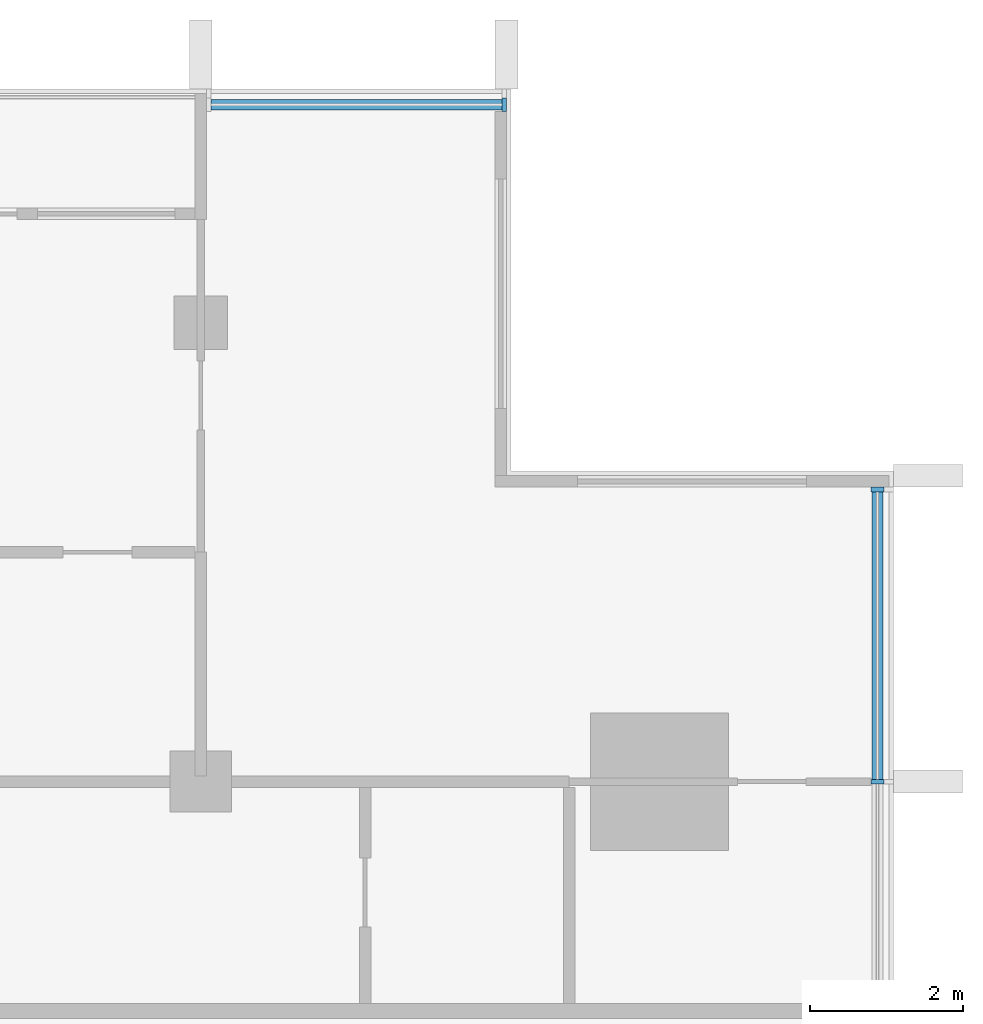
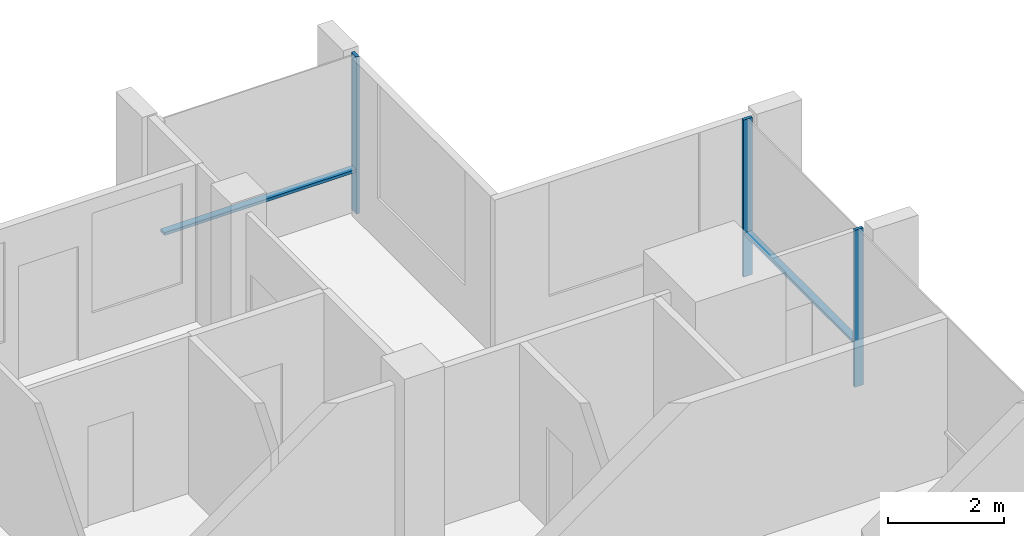
# One storey, part 5 of 16: 5 members, 2 elements without a shape of their own.
"""IFC4 building model written with IfcOpenShell, lengths in metres."""

from ifc_helpers import new_model, si_unit, direction, frame, origin, origin_2d, place, context, subcontext, project, spatial, rectangle, extrude, material, material_profile, profile_set, type_object, element, aggregate, save


model = new_model("IFC4")

# Units and contexts
model_context = context("Model", 3, precision=1e-05, world=origin(), true_north=direction((0.0, 1.0)))
body_context = subcontext(model_context, "Body", "Model", "MODEL_VIEW")
ifc_project = project(units=[si_unit("LENGTHUNIT", "METRE"), si_unit("AREAUNIT", "SQUARE_METRE"), si_unit("VOLUMEUNIT", "CUBIC_METRE"), si_unit("PLANEANGLEUNIT", "RADIAN"), si_unit("MASSUNIT", "GRAM", prefix="KILO")], contexts=[model_context])

# Site, building, storey
site_placement = place(None, origin())
site = spatial("IfcSite", under=ifc_project, at=site_placement, CompositionType="ELEMENT")
building_placement = place(site_placement, origin())
building = spatial("IfcBuilding", under=site, at=building_placement, Name="Finial Court Residences", CompositionType="ELEMENT")
storey_placement = place(building_placement, frame((0.0, 0.0, 262.699951171875)))
storey = spatial("IfcBuildingStorey", under=building, at=storey_placement, Name="L66", CompositionType="ELEMENT", Elevation=262.699951171875)

# Curtain wall, member
ifc_material = material(Name="Bronze anodised aluminium", Category="aluminium")
curtain_wall_type = type_object("IfcCurtainWallType", Name="Unitised curtain wall, upper zones", PredefinedType="NOTDEFINED", material=ifc_material)
curtain_wall_1_placement = place(storey_placement, origin())
curtain_wall_1 = element("IfcCurtainWall", 1, at=curtain_wall_1_placement, inside=storey, type_object=curtain_wall_type, Name="E-L66-CW-N3", PredefinedType="NOTDEFINED")
ifc_material_profile_1 = material_profile(ifc_material, rectangle(XDim=0.175048828125, YDim=0.06005859375, at=origin_2d()), Name="CW2 mullion 60 x 175")
ifc_profile_set_1 = profile_set([ifc_material_profile_1], Name="Bronze anodised aluminium")
member_type_1 = type_object("IfcMemberType", Name="CW2 mullion 60 x 175", PredefinedType="MULLION", material=ifc_profile_set_1)
member_1_placement = place(storey_placement, frame((14.469970703125, 16.35009765625, 0.0), z_axis=(0.0, 0.0, 1.0), x_axis=(0.0, 1.0, 0.0)))
member_1 = element("IfcMember", 2, at=member_1_placement, type_object=member_type_1, Name="CW2 mullion 2", PredefinedType="MULLION", context=body_context, shape_type="SweptSolid", body=[
    extrude(rectangle(XDim=0.175048828125, YDim=0.06005859375, at=origin_2d()), origin(), (0.0, 0.0, 1.0), 3.300048828125),
])

# Curtain wall, members
curtain_wall_2_placement = place(storey_placement, origin())
curtain_wall_2 = element("IfcCurtainWall", 3, at=curtain_wall_2_placement, inside=storey, type_object=curtain_wall_type, Name="E-L66-CW-E6", PredefinedType="NOTDEFINED")
member_2_placement = place(storey_placement, frame((19.35009765625, 7.5, 0.0), z_axis=(0.0, 0.0, 1.0), x_axis=(-1.0, 0.0, 0.0)))
member_2 = element("IfcMember", 4, at=member_2_placement, type_object=member_type_1, Name="CW2 mullion 2", PredefinedType="MULLION", context=body_context, shape_type="SweptSolid", body=[
    extrude(rectangle(XDim=0.175048828125, YDim=0.06005859375, at=origin_2d()), origin(), (0.0, 0.0, 1.0), 3.300048828125),
])
member_3_placement = place(storey_placement, frame((19.35009765625, 11.320068359375, 0.0), z_axis=(0.0, 0.0, 1.0), x_axis=(-1.0, 0.0, 0.0)))
member_3 = element("IfcMember", 5, at=member_3_placement, type_object=member_type_1, Name="CW2 mullion 3", PredefinedType="MULLION", context=body_context, shape_type="SweptSolid", body=[
    extrude(rectangle(XDim=0.175048828125, YDim=0.06005859375, at=origin_2d()), origin(), (0.0, 0.0, 1.0), 3.300048828125),
])

# Member
ifc_material_profile_2 = material_profile(ifc_material, rectangle(XDim=0.139892578125, YDim=0.06005859375, at=origin_2d()), Name="CW2 transom 60 x 140")
ifc_profile_set_2 = profile_set([ifc_material_profile_2], Name="Bronze anodised aluminium")
member_type_2 = type_object("IfcMemberType", Name="CW2 transom 60 x 140", PredefinedType="USERDEFINED", material=ifc_profile_set_2)
member_4_placement = place(storey_placement, frame((10.635009765625, 16.35009765625, 0.900146484375), z_axis=(1.0, 0.0, 0.0), x_axis=(0.0, 1.0, 0.0)))
member_4 = element("IfcMember", 6, at=member_4_placement, type_object=member_type_2, Name="CW2 transom 1.1", ObjectType="TRANSOM", PredefinedType="USERDEFINED", context=body_context, shape_type="SweptSolid", body=[
    extrude(rectangle(XDim=0.139892578125, YDim=0.06005859375, at=origin_2d()), origin(), (0.0, 0.0, 1.0), 3.804931640625),
])

aggregate(curtain_wall_1, [member_1, member_4])

member_5_placement = place(storey_placement, frame((19.35009765625, 7.530029296875, 0.900146484375), z_axis=(0.0, 1.0, 0.0), x_axis=(-1.0, 0.0, 0.0)))
member_5 = element("IfcMember", 7, at=member_5_placement, type_object=member_type_2, Name="CW2 transom 2.1", ObjectType="TRANSOM", PredefinedType="USERDEFINED", context=body_context, shape_type="SweptSolid", body=[
    extrude(rectangle(XDim=0.139892578125, YDim=0.06005859375, at=origin_2d()), origin(), (0.0, 0.0, 1.0), 3.760009765625),
])

aggregate(curtain_wall_2, [member_2, member_3, member_5])

save(model, "model.ifc")
